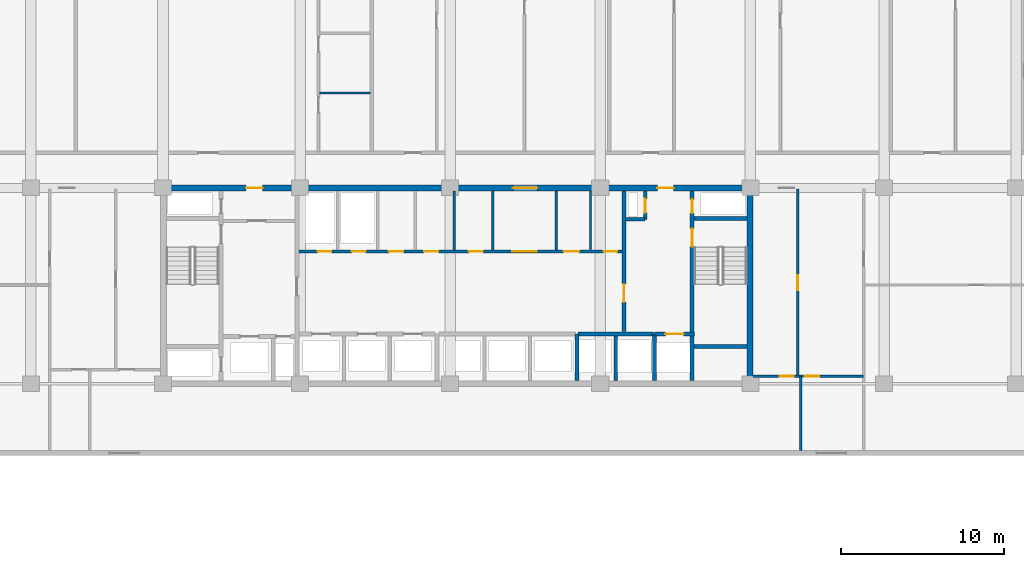
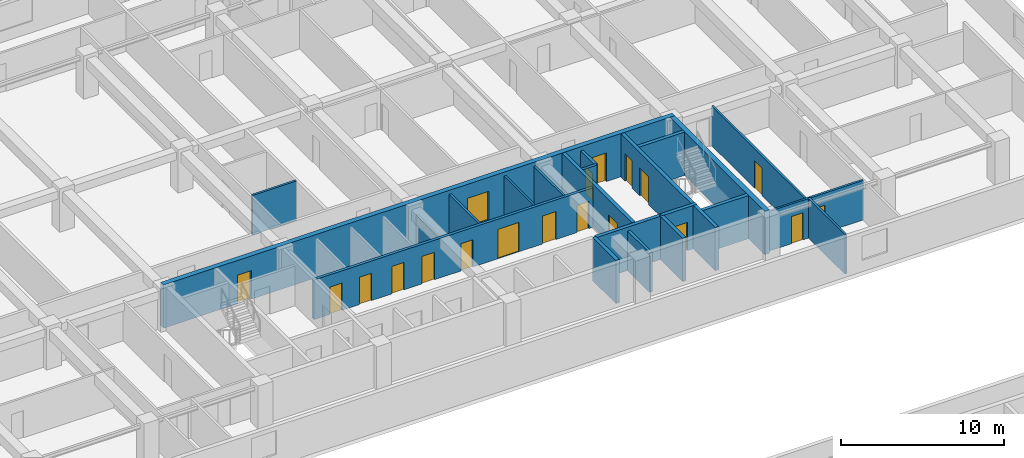
# One storey, part 11 of 23: 22 walls, 19 doors, 19 openings.
"""IFC4 building model written with IfcOpenShell, lengths in metres."""

import ifcopenshell
import ifcopenshell.guid

model = None  # the IFC model being written
_history = None  # IfcOwnerHistory: only IFC2X3 demands one
_inside = {}  # id of a spatial element -> (the spatial element, [elements in it])
_under = {}  # id of a project, library or spatial element -> (it, [spatial elements below it])
_declared = {}  # id of a project -> (the project, [libraries it declares])
_typed = {}  # id of a type object -> (the type object, [elements of that type])
_made_of = {}  # id of a material, layer set ... -> (it, [elements and type objects made of it])


def new_model(schema):
    """Start an empty IFC model of exactly this schema.

    Asked for "IFC4X3", IfcOpenShell would pick the latest addendum, in which some entities
    have other attributes; the version numbers below select the first issue.
    IFC2X3 requires an IfcOwnerHistory on every rooted entity: one is made here for all.
    """
    global model, _history
    if schema == "IFC4X3":
        model = ifcopenshell.file(schema_version=(4, 3, 0, 0))
    else:
        model = ifcopenshell.file(schema=schema)
    _inside.clear()
    _under.clear()
    _declared.clear()
    _typed.clear()
    _made_of.clear()
    _history = None
    if model.schema == "IFC2X3":
        org = make("IfcOrganization", Name="unknown")
        user = make(
            "IfcPersonAndOrganization",
            ThePerson=make("IfcPerson", FamilyName="unknown"),
            TheOrganization=org,
        )
        app = make(
            "IfcApplication",
            ApplicationDeveloper=org,
            Version="unknown",
            ApplicationFullName="unknown",
            ApplicationIdentifier="unknown",
        )
        _history = make(
            "IfcOwnerHistory",
            OwningUser=user,
            OwningApplication=app,
            ChangeAction="ADDED",
            CreationDate=0,
        )
    return model


def make(cls, **values):
    """One entity of the class cls with the attributes given. An attribute that is None is left unset."""
    return model.create_entity(
        cls, **{name: value for name, value in values.items() if value is not None}
    )


def rooted(cls, **values):
    """An entity with a GlobalId (a new one), such as an element, a storey or a relation."""
    return make(cls, GlobalId=ifcopenshell.guid.new(), OwnerHistory=_history, **values)


def si_unit(unit_type, name, prefix=None):
    """IfcSIUnit, for example si_unit("LENGTHUNIT", "METRE", prefix="MILLI")."""
    return make("IfcSIUnit", UnitType=unit_type, Prefix=prefix, Name=name)


def assignment(units):
    """IfcUnitAssignment: the units of a project."""
    return None if units is None else make("IfcUnitAssignment", Units=units)


def point(xyz):
    """IfcCartesianPoint."""
    return None if xyz is None else make("IfcCartesianPoint", Coordinates=xyz)


def direction(xyz):
    """IfcDirection."""
    return None if xyz is None else make("IfcDirection", DirectionRatios=xyz)


def frame(location, z_axis=None, x_axis=None):
    """IfcAxis2Placement3D, a coordinate frame: its origin and axes. An axis left out is left unset."""
    return make(
        "IfcAxis2Placement3D",
        Location=point(location),
        Axis=direction(z_axis),
        RefDirection=direction(x_axis),
    )


def frame_2d(location, x_axis=None):
    """IfcAxis2Placement2D, a coordinate frame in the plane: its origin and x axis."""
    return make(
        "IfcAxis2Placement2D", Location=point(location), RefDirection=direction(x_axis)
    )


def origin():
    """The frame at (0, 0, 0) with its axes left unset."""
    return frame((0.0, 0.0, 0.0))


def place(relative_to, where):
    """IfcLocalPlacement: puts the frame where relative to a parent placement (None: the world)."""
    return make(
        "IfcLocalPlacement", PlacementRelTo=relative_to, RelativePlacement=where
    )


def context(
    kind, dimensions, precision=None, world=None, true_north=None, identifier=None
):
    """IfcGeometricRepresentationContext, for example the 3D "Model" context."""
    return make(
        "IfcGeometricRepresentationContext",
        ContextIdentifier=identifier,
        ContextType=kind,
        CoordinateSpaceDimension=dimensions,
        Precision=precision,
        WorldCoordinateSystem=world,
        TrueNorth=true_north,
    )


def subcontext(parent, identifier, kind, view, scale=None):
    """IfcGeometricRepresentationSubContext, for example "Body" below "Model"."""
    return make(
        "IfcGeometricRepresentationSubContext",
        ContextIdentifier=identifier,
        ContextType=kind,
        ParentContext=parent,
        TargetScale=scale,
        TargetView=view,
    )


def project(units=None, contexts=None):
    """IfcProject with its units and contexts."""
    return rooted(
        "IfcProject",
        Name="project",
        RepresentationContexts=contexts,
        UnitsInContext=assignment(units),
    )


def spatial(cls, under=None, at=None, **own):
    """A site, building, storey or space (cls), placed at a placement, below another one or the project."""
    s = rooted(cls, ObjectPlacement=at, **own)
    if under is not None:
        _under.setdefault(under.id(), (under, []))[1].append(s)
    return s


def profile(cls, at=None, kind="AREA", **sizes):
    """A parametric profile (cls). Its sizes go by their IFC names, for example OverallWidth=200.0."""
    return make(cls, ProfileType=kind, Position=at, **sizes)


def rectangle(**sizes):
    """IfcRectangleProfileDef."""
    return profile("IfcRectangleProfileDef", **sizes)


def extrude(swept, where, along, depth):
    """IfcExtrudedAreaSolid: the profile swept, set in the frame where, extruded along a direction by depth."""
    return make(
        "IfcExtrudedAreaSolid",
        SweptArea=swept,
        Position=where,
        ExtrudedDirection=direction(along),
        Depth=depth,
    )


def shape(context_of_items, identifier, shape_type, items):
    """IfcShapeRepresentation: the items that make up one representation, for example the "Body"."""
    return make(
        "IfcShapeRepresentation",
        ContextOfItems=context_of_items,
        RepresentationIdentifier=identifier,
        RepresentationType=shape_type,
        Items=items,
    )


def material(Name=None, Category=None):
    """IfcMaterial."""
    return make("IfcMaterial", Name=Name, Category=Category)


def layer(
    of_material, thickness, ventilated=None, Name=None, Category=None, Priority=None
):
    """IfcMaterialLayer: one layer of a wall or slab, of a material (None: an air gap)."""
    return make(
        "IfcMaterialLayer",
        Material=of_material,
        LayerThickness=thickness,
        IsVentilated=ventilated,
        Name=Name,
        Category=Category,
        Priority=Priority,
    )


def layer_set(layers, Name=None):
    """IfcMaterialLayerSet."""
    return make("IfcMaterialLayerSet", MaterialLayers=layers, LayerSetName=Name)


def made_of(thing, what):
    """Note that an element or type object is made of a material, layer set ...; save() writes the relation."""
    if what is not None:
        _made_of.setdefault(what.id(), (what, []))[1].append(thing)
    return thing


def type_object(cls, material=None, **own):
    """A type object (cls), such as IfcWallType, which elements share."""
    return made_of(rooted(cls, **own), material)


def element(
    cls,
    number,
    at=None,
    inside=None,
    cuts=None,
    type_object=None,
    material=None,
    context=None,
    identifier="Body",
    shape_type=None,
    held_by="IfcProductDefinitionShape",
    body=None,
    shapes=None,
    **own,
):
    """One element of the class cls, such as IfcWall. Its Tag is "e" and its number.

    at: its placement. inside: the storey or other place that contains it. cuts: it is an
    opening in that element (IfcRelVoidsElement). A single representation is given by context,
    identifier, shape_type and body (its items); several are given by shapes. held_by: the class
    of the entity that holds the representations. save() writes the other relations.
    """
    e = rooted(cls, Tag="e%d" % number, ObjectPlacement=at, **own)
    if body is not None:
        shapes = [shape(context, identifier, shape_type, body)]
    if shapes is not None:
        e.Representation = make(held_by, Representations=shapes)
    if inside is not None:
        _inside.setdefault(inside.id(), (inside, []))[1].append(e)
    if cuts is not None:
        rooted(
            "IfcRelVoidsElement", RelatingBuildingElement=cuts, RelatedOpeningElement=e
        )
    if type_object is not None:
        _typed.setdefault(type_object.id(), (type_object, []))[1].append(e)
    return made_of(e, material)


def fill(opening, filler):
    """IfcRelFillsElement: the door or window that sits in an opening."""
    return rooted(
        "IfcRelFillsElement",
        RelatingOpeningElement=opening,
        RelatedBuildingElement=filler,
    )


def aggregate(whole, parts):
    """IfcRelAggregates: a whole, such as a stair, and the parts it consists of."""
    return rooted("IfcRelAggregates", RelatingObject=whole, RelatedObjects=parts)


def save(model, path):
    """Write the relations noted so far, then the file.

    IfcRelAggregates (storeys below a building ...), IfcRelContainedInSpatialStructure (elements
    in a storey), IfcRelDefinesByType, IfcRelAssociatesMaterial and IfcRelDeclares: one each for
    every whole, place, type object, material and project.
    """
    for whole, parts in _under.values():
        aggregate(whole, parts)
    for where, things in _inside.values():
        rooted(
            "IfcRelContainedInSpatialStructure",
            RelatedElements=things,
            RelatingStructure=where,
        )
    for kind, things in _typed.values():
        rooted("IfcRelDefinesByType", RelatedObjects=things, RelatingType=kind)
    for what, things in _made_of.values():
        rooted("IfcRelAssociatesMaterial", RelatedObjects=things, RelatingMaterial=what)
    for by, libraries in _declared.values():
        rooted("IfcRelDeclares", RelatingContext=by, RelatedDefinitions=libraries)
    model.write(path)


model = new_model("IFC4")

# Units and contexts
model_context = context("Model", 3, precision=1e-05, world=origin(), true_north=direction((0.0, 1.0)))
body_context = subcontext(model_context, "Body", "Model", "MODEL_VIEW")
ifc_project = project(units=[si_unit("LENGTHUNIT", "METRE"), si_unit("AREAUNIT", "SQUARE_METRE"), si_unit("VOLUMEUNIT", "CUBIC_METRE"), si_unit("PLANEANGLEUNIT", "RADIAN"), si_unit("MASSUNIT", "GRAM", prefix="KILO")], contexts=[model_context])

# Site, building, storey
site_placement = place(None, origin())
site = spatial("IfcSite", under=ifc_project, at=site_placement, CompositionType="ELEMENT")
building_placement = place(site_placement, origin())
building = spatial("IfcBuilding", under=site, at=building_placement, Name="Korimba Cascade Residences", CompositionType="ELEMENT")
storey_placement = place(building_placement, frame((0.0, 0.0, 50.0)))
storey = spatial("IfcBuildingStorey", under=building, at=storey_placement, Name="L13", CompositionType="ELEMENT", Elevation=50.0)

# Wall
ifc_material_1 = material(Name="Concrete C65/80", Category="concrete")
ifc_layer_1 = layer(ifc_material_1, 0.35009765625)
ifc_layer_set_1 = layer_set([ifc_layer_1], Name="Concrete C65/80")
wall_type_1 = type_object("IfcWallType", Name="WAL-CORE-350", PredefinedType="SHEAR", material=ifc_layer_set_1)
wall_1_placement = place(storey_placement, frame((112.074951171875, 55.375, 0.0), z_axis=(0.0, 0.0, 1.0), x_axis=(0.0, 1.0, 0.0)))
element("IfcWall", 1, at=wall_1_placement, inside=storey, type_object=wall_type_1, Name="L13 Core Shear Wall CW-L13-T1-E", PredefinedType="SHEAR", context=body_context, shape_type="SweptSolid", body=[
    extrude(rectangle(XDim=11.64990234375, YDim=0.35009765625, at=frame_2d((5.824951171875, 0.0))), origin(), (0.0, 0.0, 1.0), 3.25),
])

# Wall, openings, doors
wall_2_placement = place(storey_placement, frame((75.949951171875, 67.199951171875, 0.0), z_axis=(0.0, 0.0, 1.0), x_axis=(1.0, 0.0, 0.0)))
wall_2 = element("IfcWall", 2, at=wall_2_placement, inside=storey, type_object=wall_type_1, Name="L13 Core Shear Wall CW-L13-T1-N", PredefinedType="SHEAR", context=body_context, shape_type="SweptSolid", body=[
    extrude(rectangle(XDim=36.300048828125, YDim=0.35009765625, at=frame_2d((18.14990234375, 0.0))), origin(), (0.0, 0.0, 1.0), 3.25),
])
opening_1_placement = place(wall_2_placement, frame((5.25, 0.0, 0.0)))
opening_1 = element("IfcOpeningElement", 3, at=opening_1_placement, cuts=wall_2, Name="Opening D-FD5", PredefinedType="OPENING", context=body_context, shape_type="SweptSolid", body=[
    extrude(rectangle(XDim=1.0, YDim=2.14990234375, at=frame_2d((0.5, 1.074951171875))), frame((0.0, 0.18505859375, 0.0), z_axis=(0.0, -1.0, 0.0), x_axis=(1.0, 0.0, 0.0)), (0.0, 0.0, 1.0), 0.3701171875),
])
opening_2_placement = place(wall_2_placement, frame((21.60009765625, 0.0, 0.0)))
opening_2 = element("IfcOpeningElement", 4, at=opening_2_placement, cuts=wall_2, Name="Opening D-FD8", PredefinedType="OPENING", context=body_context, shape_type="SweptSolid", body=[
    extrude(rectangle(XDim=1.5, YDim=2.199951171875, at=frame_2d((0.75, 1.10009765625))), frame((0.0, 0.18505859375, 0.0), z_axis=(0.0, -1.0, 0.0), x_axis=(1.0, 0.0, 0.0)), (0.0, 0.0, 1.0), 0.3701171875),
])
opening_3_placement = place(wall_2_placement, frame((30.449951171875, 0.0, 0.0)))
opening_3 = element("IfcOpeningElement", 5, at=opening_3_placement, cuts=wall_2, Name="Opening D-FD5", PredefinedType="OPENING", context=body_context, shape_type="SweptSolid", body=[
    extrude(rectangle(XDim=1.0, YDim=2.14990234375, at=frame_2d((0.5, 1.074951171875))), frame((0.0, 0.18505859375, 0.0), z_axis=(0.0, -1.0, 0.0), x_axis=(1.0, 0.0, 0.0)), (0.0, 0.0, 1.0), 0.3701171875),
])
ifc_material_2 = material(Name="Fire-Rated Acoustic Timber Vestibule Door", Category="wood")
door_type_1 = type_object("IfcDoorType", Name="DR-FD90-1000", OperationType="NOTDEFINED", PredefinedType="DOOR", material=ifc_material_2)
door_1_placement = place(opening_1_placement, origin())
door_1 = element("IfcDoor", 6, at=door_1_placement, inside=storey, type_object=door_type_1, Name="L13 T1 West Core Vestibule Fire Door", OperationType="SINGLE_SWING_LEFT", OverallHeight=2.14990234375, OverallWidth=1.0, PredefinedType="DOOR", context=body_context, shape_type="SweptSolid", body=[
    extrude(rectangle(XDim=1.0, YDim=2.14990234375, at=frame_2d((0.5, 1.074951171875))), frame((0.0, 0.02490234375, 0.0), z_axis=(0.0, -1.0, 0.0), x_axis=(1.0, 0.0, 0.0)), (0.0, 0.0, 1.0), 0.050048828125),
])
fill(opening_1, door_1)
door_2_placement = place(opening_3_placement, origin())
door_2 = element("IfcDoor", 7, at=door_2_placement, inside=storey, type_object=door_type_1, Name="L13 T1 East Firefighting Vestibule Fire Door", OperationType="SINGLE_SWING_RIGHT", OverallHeight=2.14990234375, OverallWidth=1.0, PredefinedType="DOOR", context=body_context, shape_type="SweptSolid", body=[
    extrude(rectangle(XDim=1.0, YDim=2.14990234375, at=frame_2d((0.5, 1.074951171875))), frame((0.0, 0.02490234375, 0.0), z_axis=(0.0, -1.0, 0.0), x_axis=(1.0, 0.0, 0.0)), (0.0, 0.0, 1.0), 0.050048828125),
])
fill(opening_3, door_2)
ifc_material_3 = material(Name="Fire-Rated Glazed Lift Lobby Double Door", Category="glass")
door_type_2 = type_object("IfcDoorType", Name="DR-FD90-1500", OperationType="NOTDEFINED", PredefinedType="DOOR", material=ifc_material_3)
door_3_placement = place(opening_2_placement, origin())
door_3 = element("IfcDoor", 8, at=door_3_placement, inside=storey, type_object=door_type_2, Name="L13 T1 Lift Lobby Fire Door", OperationType="DOUBLE_DOOR_SINGLE_SWING", OverallHeight=2.199951171875, OverallWidth=1.5, PredefinedType="DOOR", context=body_context, shape_type="SweptSolid", body=[
    extrude(rectangle(XDim=1.5, YDim=2.199951171875, at=frame_2d((0.75, 1.10009765625))), frame((0.0, 0.02490234375, 0.0), z_axis=(0.0, -1.0, 0.0), x_axis=(1.0, 0.0, 0.0)), (0.0, 0.0, 1.0), 0.050048828125),
])
fill(opening_2, door_3)

# Walls
ifc_material_4 = material(Name="Insulated Acoustic Stud Partition", Category="gypsum")
ifc_layer_2 = layer(ifc_material_4, 0.14990234375)
ifc_layer_set_2 = layer_set([ifc_layer_2], Name="Insulated Acoustic Stud Partition")
wall_type_2 = type_object("IfcWallType", Name="WAL-PART-150", PredefinedType="PARTITIONING", material=ifc_layer_set_2)
wall_3_placement = place(storey_placement, frame((93.949951171875, 63.39990234375, 0.0), z_axis=(0.0, 0.0, 1.0), x_axis=(0.0, 1.0, 0.0)))
element("IfcWall", 9, at=wall_3_placement, inside=storey, type_object=wall_type_2, Name="L13 Partition Wall CW-L13-T1-CA1W2", PredefinedType="PARTITIONING", context=body_context, shape_type="SweptSolid", body=[
    extrude(rectangle(XDim=3.60009765625, YDim=0.14990234375, at=frame_2d((1.800048828125, 0.0))), origin(), (0.0, 0.0, 1.0), 2.219970703125),
])
for number, where, z_axis, x_axis, name in (
    (10, (102.300048828125, 63.39990234375, 0.0), (0.0, 0.0, 1.0), (0.0, 1.0, 0.0), "L13 Partition Wall CW-L13-T1-CA1E1"),
    (11, (96.300048828125, 63.39990234375, 0.0), (0.0, 0.0, 1.0), (0.0, 1.0, 0.0), "L13 Partition Wall CW-L13-T1-THW"),
    (12, (100.199951171875, 63.39990234375, 0.0), (0.0, 0.0, 1.0), (0.0, 1.0, 0.0), "L13 Partition Wall CW-L13-T1-THE"),
):
    element("IfcWall", number, at=place(storey_placement, frame(where, z_axis=z_axis, x_axis=x_axis)), inside=storey, type_object=wall_type_2, Name=name, PredefinedType="PARTITIONING", context=body_context, shape_type="SweptSolid", body=[
        extrude(rectangle(XDim=3.60009765625, YDim=0.14990234375, at=frame_2d((1.800048828125, 0.0))), origin(), (0.0, 0.0, 1.0), 2.969970703125),
    ])

# Wall, opening, door
wall_4_placement = place(storey_placement, frame((115.0, 55.64990234375, 0.0), z_axis=(0.0, 0.0, 1.0), x_axis=(0.0, 1.0, 0.0)))
wall_4 = element("IfcWall", 13, at=wall_4_placement, inside=storey, type_object=wall_type_2, Name="L13 Partition Wall WAL-L13-T1-FE-VN", PredefinedType="PARTITIONING", context=body_context, shape_type="SweptSolid", body=[
    extrude(rectangle(XDim=11.5, YDim=0.14990234375, at=frame_2d((5.75, 0.0))), origin(), (0.0, 0.0, 1.0), 2.969970703125),
])
opening_4_placement = place(wall_4_placement, frame((5.2900390625, 0.0, 0.0)))
opening_4 = element("IfcOpeningElement", 14, at=opening_4_placement, cuts=wall_4, Name="Opening D-IN1", PredefinedType="OPENING", context=body_context, shape_type="SweptSolid", body=[
    extrude(rectangle(XDim=0.919921875, YDim=2.080078125, at=frame_2d((0.4599609375, 1.0400390625))), frame((0.0, 0.0849609375, 0.0), z_axis=(0.0, -1.0, 0.0), x_axis=(1.0, 0.0, 0.0)), (0.0, 0.0, 1.0), 0.169921875),
])
ifc_material_5 = material(Name="Acoustic Timber Living Door", Category="wood")
door_type_3 = type_object("IfcDoorType", Name="DR-INT-920", OperationType="NOTDEFINED", PredefinedType="DOOR", material=ifc_material_5)
door_4_placement = place(opening_4_placement, origin())
door_4 = element("IfcDoor", 15, at=door_4_placement, inside=storey, type_object=door_type_3, Name="L13-T1-FE Living Door", OperationType="SINGLE_SWING_RIGHT", OverallHeight=2.080078125, OverallWidth=0.919921875, PredefinedType="DOOR", context=body_context, shape_type="SweptSolid", body=[
    extrude(rectangle(XDim=0.919921875, YDim=2.080078125, at=frame_2d((0.4599609375, 1.0400390625))), frame((0.0, 0.02490234375, 0.0), z_axis=(0.0, -1.0, 0.0), x_axis=(1.0, 0.0, 0.0)), (0.0, 0.0, 1.0), 0.050048828125),
])
fill(opening_4, door_4)

# Wall
wall_5_placement = place(storey_placement, frame((115.199951171875, 51.10009765625, 0.0), z_axis=(0.0, 0.0, 1.0), x_axis=(0.0, 1.0, 0.0)))
element("IfcWall", 16, at=wall_5_placement, inside=storey, type_object=wall_type_2, Name="L13 Partition Wall WAL-L13-T1-FE-VS", PredefinedType="PARTITIONING", context=body_context, shape_type="SweptSolid", body=[
    extrude(rectangle(XDim=4.5498046875, YDim=0.14990234375, at=frame_2d((2.27490234375, 0.0))), origin(), (0.0, 0.0, 1.0), 2.969970703125),
])

# Wall, openings, doors
wall_6_placement = place(storey_placement, frame((112.27001953125, 55.64990234375, 0.0), z_axis=(0.0, 0.0, 1.0), x_axis=(1.0, 0.0, 0.0)))
wall_6 = element("IfcWall", 17, at=wall_6_placement, inside=storey, type_object=wall_type_2, Name="L13 Partition Wall WAL-L13-T1-FE-H", PredefinedType="PARTITIONING", context=body_context, shape_type="SweptSolid", body=[
    extrude(rectangle(XDim=6.760009765625, YDim=0.14990234375, at=frame_2d((3.3798828125, 0.0))), origin(), (0.0, 0.0, 1.0), 2.969970703125),
])
opening_5_placement = place(wall_6_placement, frame((1.6396484375, 0.0, 0.0)))
opening_5 = element("IfcOpeningElement", 18, at=opening_5_placement, cuts=wall_6, Name="Opening D-BT1", PredefinedType="OPENING", context=body_context, shape_type="SweptSolid", body=[
    extrude(rectangle(XDim=0.840087890625, YDim=2.0400390625, at=frame_2d((0.419921875, 1.02001953125))), frame((0.0, 0.0849609375, 0.0), z_axis=(0.0, -1.0, 0.0), x_axis=(1.0, 0.0, 0.0)), (0.0, 0.0, 1.0), 0.169921875),
])
opening_6_placement = place(wall_6_placement, frame((3.160400390625, 0.0, 0.0)))
opening_6 = element("IfcOpeningElement", 19, at=opening_6_placement, cuts=wall_6, Name="Opening D-IN2", PredefinedType="OPENING", context=body_context, shape_type="SweptSolid", body=[
    extrude(rectangle(XDim=0.8798828125, YDim=2.06005859375, at=frame_2d((0.43994140625, 1.030029296875))), frame((0.0, 0.0849609375, 0.0), z_axis=(0.0, -1.0, 0.0), x_axis=(1.0, 0.0, 0.0)), (0.0, 0.0, 1.0), 0.169921875),
])
ifc_material_6 = material(Name="Moisture-Resistant Bathroom Timber Door", Category="wood")
door_type_4 = type_object("IfcDoorType", Name="DR-INT-850", OperationType="NOTDEFINED", PredefinedType="DOOR", material=ifc_material_6)
door_5_placement = place(opening_5_placement, origin())
door_5 = element("IfcDoor", 20, at=door_5_placement, inside=storey, type_object=door_type_4, Name="L13-T1-FE Bathroom Door", OperationType="SINGLE_SWING_LEFT", OverallHeight=2.0400390625, OverallWidth=0.840087890625, PredefinedType="DOOR", context=body_context, shape_type="SweptSolid", body=[
    extrude(rectangle(XDim=0.840087890625, YDim=2.0400390625, at=frame_2d((0.419921875, 1.02001953125))), frame((0.0, 0.02490234375, 0.0), z_axis=(0.0, -1.0, 0.0), x_axis=(1.0, 0.0, 0.0)), (0.0, 0.0, 1.0), 0.050048828125),
])
fill(opening_5, door_5)
ifc_material_7 = material(Name="Acoustic Timber Bedroom Door", Category="wood")
door_type_5 = type_object("IfcDoorType", Name="DR-INT-880", OperationType="NOTDEFINED", PredefinedType="DOOR", material=ifc_material_7)
door_6_placement = place(opening_6_placement, origin())
door_6 = element("IfcDoor", 21, at=door_6_placement, inside=storey, type_object=door_type_5, Name="L13-T1-FE Bedroom Door", OperationType="SINGLE_SWING_RIGHT", OverallHeight=2.06005859375, OverallWidth=0.8798828125, PredefinedType="DOOR", context=body_context, shape_type="SweptSolid", body=[
    extrude(rectangle(XDim=0.8798828125, YDim=2.06005859375, at=frame_2d((0.43994140625, 1.030029296875))), frame((0.0, 0.02490234375, 0.0), z_axis=(0.0, -1.0, 0.0), x_axis=(1.0, 0.0, 0.0)), (0.0, 0.0, 1.0), 0.050048828125),
])
fill(opening_6, door_6)

# Walls
wall_7_placement = place(storey_placement, frame((85.684326171875, 73.02001953125, 0.0), z_axis=(0.0, 0.0, 1.0), x_axis=(1.0, 0.0, 0.0)))
element("IfcWall", 22, at=wall_7_placement, inside=storey, type_object=wall_type_2, Name="L13 Partition Wall WAL-L13-T1-U02-WCH", PredefinedType="PARTITIONING", context=body_context, shape_type="SweptSolid", body=[
    extrude(rectangle(XDim=3.1298828125, YDim=0.14990234375, at=frame_2d((1.56494140625, 0.0))), origin(), (0.0, 0.0, 1.0), 2.969970703125),
])
ifc_material_8 = material(Name="Concrete C40/50", Category="concrete")
ifc_layer_3 = layer(ifc_material_8, 0.199951171875)
ifc_layer_set_3 = layer_set([ifc_layer_3], Name="Concrete C40/50")
wall_type_3 = type_object("IfcWallType", Name="WAL-PART-200", PredefinedType="PARTITIONING", material=ifc_layer_set_3)
wall_8_placement = place(storey_placement, frame((103.85009765625, 55.39990234375, 0.0), z_axis=(0.0, 0.0, 1.0), x_axis=(0.0, 1.0, 0.0)))
element("IfcWall", 23, at=wall_8_placement, inside=storey, type_object=wall_type_3, Name="L13 Partition Wall CW-L13-T1-B3D1", PredefinedType="PARTITIONING", context=body_context, shape_type="SweptSolid", body=[
    extrude(rectangle(XDim=2.72021484375, YDim=0.199951171875, at=frame_2d((1.360107421875, 0.0))), origin(), (0.0, 0.0, 1.0), 2.969970703125),
])

# Wall, openings, doors
wall_9_placement = place(storey_placement, frame((84.419921875, 63.300048828125, 0.0), z_axis=(0.0, 0.0, 1.0), x_axis=(1.0, 0.0, 0.0)))
wall_9 = element("IfcWall", 24, at=wall_9_placement, inside=storey, type_object=wall_type_3, Name="L13 Partition Wall CW-L13-T1-SRVROW", PredefinedType="PARTITIONING", context=body_context, shape_type="SweptSolid", body=[
    extrude(rectangle(XDim=19.830078125, YDim=0.199951171875, at=frame_2d((9.9150390625, 0.0))), origin(), (0.0, 0.0, 1.0), 2.969970703125),
])
opening_7_placement = place(wall_9_placement, frame((1.14990234375, 0.0, 0.0)))
opening_7 = element("IfcOpeningElement", 25, at=opening_7_placement, cuts=wall_9, Name="Opening D-RS1", PredefinedType="OPENING", context=body_context, shape_type="SweptSolid", body=[
    extrude(rectangle(XDim=0.85009765625, YDim=2.050048828125, at=frame_2d((0.425048828125, 1.02490234375))), frame((0.0, 0.10986328125, 0.0), z_axis=(0.0, -1.0, 0.0), x_axis=(1.0, 0.0, 0.0)), (0.0, 0.0, 1.0), 0.219970703125),
])
opening_8_placement = place(wall_9_placement, frame((3.25, 0.0, 0.0)))
opening_8 = element("IfcOpeningElement", 26, at=opening_8_placement, cuts=wall_9, Name="Opening D-RS1", PredefinedType="OPENING", context=body_context, shape_type="SweptSolid", body=[
    extrude(rectangle(XDim=0.85009765625, YDim=2.050048828125, at=frame_2d((0.425048828125, 1.02490234375))), frame((0.0, 0.10986328125, 0.0), z_axis=(0.0, -1.0, 0.0), x_axis=(1.0, 0.0, 0.0)), (0.0, 0.0, 1.0), 0.219970703125),
])
opening_9_placement = place(wall_9_placement, frame((13.080078125, 0.0, 0.0)))
opening_9 = element("IfcOpeningElement", 27, at=opening_9_placement, cuts=wall_9, Name="Opening D-FD8", PredefinedType="OPENING", context=body_context, shape_type="SweptSolid", body=[
    extrude(rectangle(XDim=1.5, YDim=2.199951171875, at=frame_2d((0.75, 1.10009765625))), frame((0.0, 0.10986328125, 0.0), z_axis=(0.0, -1.0, 0.0), x_axis=(1.0, 0.0, 0.0)), (0.0, 0.0, 1.0), 0.219970703125),
])
opening_10_placement = place(wall_9_placement, frame((5.530029296875, 0.0, 0.0)))
opening_10 = element("IfcOpeningElement", 28, at=opening_10_placement, cuts=wall_9, Name="Opening D-IN2", PredefinedType="OPENING", context=body_context, shape_type="SweptSolid", body=[
    extrude(rectangle(XDim=0.8798828125, YDim=2.06005859375, at=frame_2d((0.43994140625, 1.030029296875))), frame((0.0, 0.10986328125, 0.0), z_axis=(0.0, -1.0, 0.0), x_axis=(1.0, 0.0, 0.0)), (0.0, 0.0, 1.0), 0.219970703125),
])
opening_11_placement = place(wall_9_placement, frame((7.679931640625, 0.0, 0.0)))
opening_11 = element("IfcOpeningElement", 29, at=opening_11_placement, cuts=wall_9, Name="Opening D-IN2", PredefinedType="OPENING", context=body_context, shape_type="SweptSolid", body=[
    extrude(rectangle(XDim=0.8798828125, YDim=2.06005859375, at=frame_2d((0.43994140625, 1.030029296875))), frame((0.0, 0.10986328125, 0.0), z_axis=(0.0, -1.0, 0.0), x_axis=(1.0, 0.0, 0.0)), (0.0, 0.0, 1.0), 0.219970703125),
])
opening_12_placement = place(wall_9_placement, frame((10.429931640625, 0.0, 0.0)))
opening_12 = element("IfcOpeningElement", 30, at=opening_12_placement, cuts=wall_9, Name="Opening D-RS1", PredefinedType="OPENING", context=body_context, shape_type="SweptSolid", body=[
    extrude(rectangle(XDim=0.85009765625, YDim=2.050048828125, at=frame_2d((0.425048828125, 1.02490234375))), frame((0.0, 0.10986328125, 0.0), z_axis=(0.0, -1.0, 0.0), x_axis=(1.0, 0.0, 0.0)), (0.0, 0.0, 1.0), 0.219970703125),
])
opening_13_placement = place(wall_9_placement, frame((16.22998046875, 0.0, 0.0)))
opening_13 = element("IfcOpeningElement", 31, at=opening_13_placement, cuts=wall_9, Name="Opening D-AC1", PredefinedType="OPENING", context=body_context, shape_type="SweptSolid", body=[
    extrude(rectangle(XDim=0.9599609375, YDim=2.10009765625, at=frame_2d((0.47998046875, 1.050048828125))), frame((0.0, 0.10986328125, 0.0), z_axis=(0.0, -1.0, 0.0), x_axis=(1.0, 0.0, 0.0)), (0.0, 0.0, 1.0), 0.219970703125),
])
opening_14_placement = place(wall_9_placement, frame((18.679931640625, 0.0, 0.0)))
opening_14 = element("IfcOpeningElement", 32, at=opening_14_placement, cuts=wall_9, Name="Opening D-BT1", PredefinedType="OPENING", context=body_context, shape_type="SweptSolid", body=[
    extrude(rectangle(XDim=0.840087890625, YDim=2.0400390625, at=frame_2d((0.419921875, 1.02001953125))), frame((0.0, 0.10986328125, 0.0), z_axis=(0.0, -1.0, 0.0), x_axis=(1.0, 0.0, 0.0)), (0.0, 0.0, 1.0), 0.219970703125),
])
ifc_material_9 = material(Name="Accessible Acoustic Timber WC Door", Category="wood")
door_type_6 = type_object("IfcDoorType", Name="DR-ACC-950", OperationType="NOTDEFINED", PredefinedType="DOOR", material=ifc_material_9)
door_7_placement = place(opening_13_placement, origin())
door_7 = element("IfcDoor", 33, at=door_7_placement, inside=storey, type_object=door_type_6, Name="L13 Accessible Staff WC Door", OperationType="SINGLE_SWING_RIGHT", OverallHeight=2.10009765625, OverallWidth=0.9599609375, PredefinedType="DOOR", context=body_context, shape_type="SweptSolid", body=[
    extrude(rectangle(XDim=0.9599609375, YDim=2.10009765625, at=frame_2d((0.47998046875, 1.050048828125))), frame((0.0, 0.02490234375, 0.0), z_axis=(0.0, -1.0, 0.0), x_axis=(1.0, 0.0, 0.0)), (0.0, 0.0, 1.0), 0.050048828125),
])
fill(opening_13, door_7)
ifc_material_10 = material(Name="Fire-Rated Steel Riser Access Door", Category="steel")
door_type_7 = type_object("IfcDoorType", Name="DR-FD60-850", OperationType="NOTDEFINED", PredefinedType="DOOR", material=ifc_material_10)
door_8_placement = place(opening_7_placement, origin())
door_8 = element("IfcDoor", 34, at=door_8_placement, inside=storey, type_object=door_type_7, Name="L13 Electrical Riser Door", OperationType="SINGLE_SWING_LEFT", OverallHeight=2.050048828125, OverallWidth=0.85009765625, PredefinedType="DOOR", context=body_context, shape_type="SweptSolid", body=[
    extrude(rectangle(XDim=0.85009765625, YDim=2.050048828125, at=frame_2d((0.425048828125, 1.02490234375))), frame((0.0, 0.02490234375, 0.0), z_axis=(0.0, -1.0, 0.0), x_axis=(1.0, 0.0, 0.0)), (0.0, 0.0, 1.0), 0.050048828125),
])
fill(opening_7, door_8)
door_9_placement = place(opening_8_placement, origin())
door_9 = element("IfcDoor", 35, at=door_9_placement, inside=storey, type_object=door_type_7, Name="L13 Plumbing Riser Door", OperationType="SINGLE_SWING_RIGHT", OverallHeight=2.050048828125, OverallWidth=0.85009765625, PredefinedType="DOOR", context=body_context, shape_type="SweptSolid", body=[
    extrude(rectangle(XDim=0.85009765625, YDim=2.050048828125, at=frame_2d((0.425048828125, 1.02490234375))), frame((0.0, 0.02490234375, 0.0), z_axis=(0.0, -1.0, 0.0), x_axis=(1.0, 0.0, 0.0)), (0.0, 0.0, 1.0), 0.050048828125),
])
fill(opening_8, door_9)
door_10_placement = place(opening_12_placement, origin())
door_10 = element("IfcDoor", 36, at=door_10_placement, inside=storey, type_object=door_type_7, Name="L13 IT Room Door", OperationType="SINGLE_SWING_LEFT", OverallHeight=2.050048828125, OverallWidth=0.85009765625, PredefinedType="DOOR", context=body_context, shape_type="SweptSolid", body=[
    extrude(rectangle(XDim=0.85009765625, YDim=2.050048828125, at=frame_2d((0.425048828125, 1.02490234375))), frame((0.0, 0.02490234375, 0.0), z_axis=(0.0, -1.0, 0.0), x_axis=(1.0, 0.0, 0.0)), (0.0, 0.0, 1.0), 0.050048828125),
])
fill(opening_12, door_10)
door_11_placement = place(opening_9_placement, origin())
door_11 = element("IfcDoor", 37, at=door_11_placement, inside=storey, type_object=door_type_2, Name="L13 Lift Lobby Foyer Archway Door", OperationType="DOUBLE_DOOR_SINGLE_SWING", OverallHeight=2.199951171875, OverallWidth=1.5, PredefinedType="DOOR", context=body_context, shape_type="SweptSolid", body=[
    extrude(rectangle(XDim=1.5, YDim=2.199951171875, at=frame_2d((0.75, 1.10009765625))), frame((0.0, 0.02490234375, 0.0), z_axis=(0.0, -1.0, 0.0), x_axis=(1.0, 0.0, 0.0)), (0.0, 0.0, 1.0), 0.050048828125),
])
fill(opening_9, door_11)
door_12_placement = place(opening_14_placement, origin())
door_12 = element("IfcDoor", 38, at=door_12_placement, inside=storey, type_object=door_type_4, Name="L13 Vending Room Door", OperationType="SINGLE_SWING_LEFT", OverallHeight=2.0400390625, OverallWidth=0.840087890625, PredefinedType="DOOR", context=body_context, shape_type="SweptSolid", body=[
    extrude(rectangle(XDim=0.840087890625, YDim=2.0400390625, at=frame_2d((0.419921875, 1.02001953125))), frame((0.0, 0.02490234375, 0.0), z_axis=(0.0, -1.0, 0.0), x_axis=(1.0, 0.0, 0.0)), (0.0, 0.0, 1.0), 0.050048828125),
])
fill(opening_14, door_12)
door_13_placement = place(opening_10_placement, origin())
door_13 = element("IfcDoor", 39, at=door_13_placement, inside=storey, type_object=door_type_5, Name="L13 Cleaners Door", OperationType="SINGLE_SWING_LEFT", OverallHeight=2.06005859375, OverallWidth=0.8798828125, PredefinedType="DOOR", context=body_context, shape_type="SweptSolid", body=[
    extrude(rectangle(XDim=0.8798828125, YDim=2.06005859375, at=frame_2d((0.43994140625, 1.030029296875))), frame((0.0, 0.02490234375, 0.0), z_axis=(0.0, -1.0, 0.0), x_axis=(1.0, 0.0, 0.0)), (0.0, 0.0, 1.0), 0.050048828125),
])
fill(opening_10, door_13)
door_14_placement = place(opening_11_placement, origin())
door_14 = element("IfcDoor", 40, at=door_14_placement, inside=storey, type_object=door_type_5, Name="L13 Pantry Door", OperationType="SINGLE_SWING_RIGHT", OverallHeight=2.06005859375, OverallWidth=0.8798828125, PredefinedType="DOOR", context=body_context, shape_type="SweptSolid", body=[
    extrude(rectangle(XDim=0.8798828125, YDim=2.06005859375, at=frame_2d((0.43994140625, 1.030029296875))), frame((0.0, 0.02490234375, 0.0), z_axis=(0.0, -1.0, 0.0), x_axis=(1.0, 0.0, 0.0)), (0.0, 0.0, 1.0), 0.050048828125),
])
fill(opening_11, door_14)

# Wall
wall_10_placement = place(storey_placement, frame((104.449951171875, 65.280029296875, 0.0), z_axis=(0.0, 0.0, 1.0), x_axis=(1.0, 0.0, 0.0)))
element("IfcWall", 41, at=wall_10_placement, inside=storey, type_object=wall_type_3, Name="L13 Partition Wall CW-L13-T1-HYDW2S", PredefinedType="PARTITIONING", context=body_context, shape_type="SweptSolid", body=[
    extrude(rectangle(XDim=1.199951171875, YDim=0.199951171875, at=frame_2d((0.60009765625, 0.0))), origin(), (0.0, 0.0, 1.0), 2.969970703125),
])

# Wall, opening, door
wall_11_placement = place(storey_placement, frame((105.64990234375, 65.280029296875, 0.0), z_axis=(0.0, 0.0, 1.0), x_axis=(0.0, 1.0, 0.0)))
wall_11 = element("IfcWall", 42, at=wall_11_placement, inside=storey, type_object=wall_type_3, Name="L13 Partition Wall CW-L13-T1-HYDW2E", PredefinedType="PARTITIONING", context=body_context, shape_type="SweptSolid", body=[
    extrude(rectangle(XDim=1.719970703125, YDim=0.199951171875, at=frame_2d((0.85986328125, 0.0))), origin(), (0.0, 0.0, 1.0), 2.969970703125),
])
opening_15_placement = place(wall_11_placement, frame((0.39990234375, 0.0, 0.0)))
opening_15 = element("IfcOpeningElement", 43, at=opening_15_placement, cuts=wall_11, Name="Opening D-RS1", PredefinedType="OPENING", context=body_context, shape_type="SweptSolid", body=[
    extrude(rectangle(XDim=0.85009765625, YDim=2.050048828125, at=frame_2d((0.425048828125, 1.02490234375))), frame((0.0, 0.10986328125, 0.0), z_axis=(0.0, -1.0, 0.0), x_axis=(1.0, 0.0, 0.0)), (0.0, 0.0, 1.0), 0.219970703125),
])
door_15_placement = place(opening_15_placement, origin())
door_15 = element("IfcDoor", 44, at=door_15_placement, inside=storey, type_object=door_type_7, Name="L13 East Hydrant Door", OperationType="SINGLE_SWING_RIGHT", OverallHeight=2.050048828125, OverallWidth=0.85009765625, PredefinedType="DOOR", context=body_context, shape_type="SweptSolid", body=[
    extrude(rectangle(XDim=0.85009765625, YDim=2.050048828125, at=frame_2d((0.425048828125, 1.02490234375))), frame((0.0, 0.02490234375, 0.0), z_axis=(0.0, -1.0, 0.0), x_axis=(1.0, 0.0, 0.0)), (0.0, 0.0, 1.0), 0.050048828125),
])
fill(opening_15, door_15)

# Walls
ifc_material_11 = material(Name="Concrete C50/60", Category="concrete")
ifc_layer_4 = layer(ifc_material_11, 0.25)
ifc_layer_set_4 = layer_set([ifc_layer_4], Name="Concrete C50/60")
wall_type_4 = type_object("IfcWallType", Name="WAL-SHAFT-250", PredefinedType="SHEAR", material=ifc_layer_set_4)
wall_12_placement = place(storey_placement, frame((101.47998046875, 55.39990234375, 0.0), z_axis=(0.0, 0.0, 1.0), x_axis=(0.0, 1.0, 0.0)))
element("IfcWall", 45, at=wall_12_placement, inside=storey, type_object=wall_type_4, Name="L13 Core Shear Wall CW-L13-T1-B23DIV", PredefinedType="SHEAR", context=body_context, shape_type="SweptSolid", body=[
    extrude(rectangle(XDim=2.85009765625, YDim=0.25, at=frame_2d((1.425048828125, 0.0))), origin(), (0.0, 0.0, 1.0), 3.25),
])
wall_13_placement = place(storey_placement, frame((101.550048828125, 58.25, 0.0), z_axis=(0.0, 0.0, 1.0), x_axis=(1.0, 0.0, 0.0)))
element("IfcWall", 46, at=wall_13_placement, inside=storey, type_object=wall_type_4, Name="L13 Core Shear Wall CW-L13-T1-B3N", PredefinedType="SHEAR", context=body_context, shape_type="SweptSolid", body=[
    extrude(rectangle(XDim=4.599853515625, YDim=0.25, at=frame_2d((2.2998046875, 0.0))), origin(), (0.0, 0.0, 1.0), 3.25),
])
wall_14_placement = place(storey_placement, frame((106.219970703125, 55.39990234375, 0.0), z_axis=(0.0, 0.0, 1.0), x_axis=(0.0, 1.0, 0.0)))
element("IfcWall", 47, at=wall_14_placement, inside=storey, type_object=wall_type_4, Name="L13 Core Shear Wall CW-L13-T1-FF2W", PredefinedType="SHEAR", context=body_context, shape_type="SweptSolid", body=[
    extrude(rectangle(XDim=2.85009765625, YDim=0.25, at=frame_2d((1.425048828125, 0.0))), origin(), (0.0, 0.0, 1.0), 3.25),
])

# Wall, opening, door
wall_15_placement = place(storey_placement, frame((106.219970703125, 58.25, 0.0), z_axis=(0.0, 0.0, 1.0), x_axis=(1.0, 0.0, 0.0)))
wall_15 = element("IfcWall", 48, at=wall_15_placement, inside=storey, type_object=wall_type_4, Name="L13 Core Shear Wall CW-L13-T1-FF2N", PredefinedType="SHEAR", context=body_context, shape_type="SweptSolid", body=[
    extrude(rectangle(XDim=2.4599609375, YDim=0.25, at=frame_2d((1.22998046875, 0.0))), origin(), (0.0, 0.0, 1.0), 3.25),
])
opening_16_placement = place(wall_15_placement, frame((0.669921875, 0.0, 0.0)))
opening_16 = element("IfcOpeningElement", 49, at=opening_16_placement, cuts=wall_15, Name="Opening LD-01", PredefinedType="OPENING", context=body_context, shape_type="SweptSolid", body=[
    extrude(rectangle(XDim=1.1201171875, YDim=2.1201171875, at=frame_2d((0.56005859375, 1.06005859375))), frame((0.0, 0.135009765625, 0.0), z_axis=(0.0, -1.0, 0.0), x_axis=(1.0, 0.0, 0.0)), (0.0, 0.0, 1.0), 0.27001953125),
])
ifc_material_12 = material(Name="Stainless Steel Lift Landing Sliding Door", Category="steel")
door_type_8 = type_object("IfcDoorType", Name="DR-LIFT-1100", OperationType="NOTDEFINED", PredefinedType="DOOR", material=ifc_material_12)
door_16_placement = place(opening_16_placement, origin())
door_16 = element("IfcDoor", 50, at=door_16_placement, inside=storey, type_object=door_type_8, Name="L13 Firefighting Lift Landing Door FFL-W2", OperationType="SLIDING_TO_RIGHT", OverallHeight=2.1201171875, OverallWidth=1.1201171875, PredefinedType="DOOR", context=body_context, shape_type="SweptSolid", body=[
    extrude(rectangle(XDim=1.1201171875, YDim=2.1201171875, at=frame_2d((0.56005859375, 1.06005859375))), frame((0.0, 0.02490234375, 0.0), z_axis=(0.0, -1.0, 0.0), x_axis=(1.0, 0.0, 0.0)), (0.0, 0.0, 1.0), 0.050048828125),
])
fill(opening_16, door_16)

wall_16_placement = place(storey_placement, frame((104.35009765625, 58.39990234375, 0.0), z_axis=(0.0, 0.0, 1.0), x_axis=(0.0, 1.0, 0.0)))
wall_16 = element("IfcWall", 51, at=wall_16_placement, inside=storey, type_object=wall_type_4, Name="L13 Core Shear Wall CW-L13-T1-LLEV", PredefinedType="SHEAR", context=body_context, shape_type="SweptSolid", body=[
    extrude(rectangle(XDim=8.60009765625, YDim=0.25, at=frame_2d((4.300048828125, 0.0))), origin(), (0.0, 0.0, 1.0), 3.25),
])
opening_17_placement = place(wall_16_placement, frame((1.800048828125, 0.0, 0.0)))
opening_17 = element("IfcOpeningElement", 52, at=opening_17_placement, cuts=wall_16, Name="Opening D-FD1", PredefinedType="OPENING", context=body_context, shape_type="SweptSolid", body=[
    extrude(rectangle(XDim=1.10009765625, YDim=2.10009765625, at=frame_2d((0.550048828125, 1.050048828125))), frame((0.0, 0.135009765625, 0.0), z_axis=(0.0, -1.0, 0.0), x_axis=(1.0, 0.0, 0.0)), (0.0, 0.0, 1.0), 0.27001953125),
])
ifc_material_13 = material(Name="Fire-Rated Steel Core Door", Category="steel")
door_type_9 = type_object("IfcDoorType", Name="DR-FD120-1100", OperationType="NOTDEFINED", PredefinedType="DOOR", material=ifc_material_13)
door_17_placement = place(opening_17_placement, origin())
door_17 = element("IfcDoor", 53, at=door_17_placement, inside=storey, type_object=door_type_9, Name="L13 Lift Lobby to East Firefighting Lobby Door", OperationType="SINGLE_SWING_LEFT", OverallHeight=2.10009765625, OverallWidth=1.10009765625, PredefinedType="DOOR", context=body_context, shape_type="SweptSolid", body=[
    extrude(rectangle(XDim=1.10009765625, YDim=2.10009765625, at=frame_2d((0.550048828125, 1.050048828125))), frame((0.0, 0.02490234375, 0.0), z_axis=(0.0, -1.0, 0.0), x_axis=(1.0, 0.0, 0.0)), (0.0, 0.0, 1.0), 0.050048828125),
])
fill(opening_17, door_17)

# Wall, openings, doors
wall_17_placement = place(storey_placement, frame((108.534912109375, 55.39990234375, 0.0), z_axis=(0.0, 0.0, 1.0), x_axis=(0.0, 1.0, 0.0)))
wall_17 = element("IfcWall", 54, at=wall_17_placement, inside=storey, type_object=wall_type_4, Name="L13 Core Shear Wall CW-L13-T1-STW2W", PredefinedType="SHEAR", context=body_context, shape_type="SweptSolid", body=[
    extrude(rectangle(XDim=11.60009765625, YDim=0.25, at=frame_2d((5.800048828125, 0.0))), origin(), (0.0, 0.0, 1.0), 3.25),
])
opening_18_placement = place(wall_17_placement, frame((8.199951171875, 0.0, 0.0)))
opening_18 = element("IfcOpeningElement", 55, at=opening_18_placement, cuts=wall_17, Name="Opening D-FD1", PredefinedType="OPENING", context=body_context, shape_type="SweptSolid", body=[
    extrude(rectangle(XDim=1.10009765625, YDim=2.10009765625, at=frame_2d((0.550048828125, 1.050048828125))), frame((0.0, 0.135009765625, 0.0), z_axis=(0.0, -1.0, 0.0), x_axis=(1.0, 0.0, 0.0)), (0.0, 0.0, 1.0), 0.27001953125),
])
opening_19_placement = place(wall_17_placement, frame((10.25, 0.0, 0.0)))
opening_19 = element("IfcOpeningElement", 56, at=opening_19_placement, cuts=wall_17, Name="Opening D-RS1", PredefinedType="OPENING", context=body_context, shape_type="SweptSolid", body=[
    extrude(rectangle(XDim=0.85009765625, YDim=2.050048828125, at=frame_2d((0.425048828125, 1.02490234375))), frame((0.0, 0.135009765625, 0.0), z_axis=(0.0, -1.0, 0.0), x_axis=(1.0, 0.0, 0.0)), (0.0, 0.0, 1.0), 0.27001953125),
])
door_18_placement = place(opening_18_placement, origin())
door_18 = element("IfcDoor", 57, at=door_18_placement, inside=storey, type_object=door_type_9, Name="L13 Fire Stair ST-W2 Door", OperationType="SINGLE_SWING_RIGHT", OverallHeight=2.10009765625, OverallWidth=1.10009765625, PredefinedType="DOOR", context=body_context, shape_type="SweptSolid", body=[
    extrude(rectangle(XDim=1.10009765625, YDim=2.10009765625, at=frame_2d((0.550048828125, 1.050048828125))), frame((0.0, 0.02490234375, 0.0), z_axis=(0.0, -1.0, 0.0), x_axis=(1.0, 0.0, 0.0)), (0.0, 0.0, 1.0), 0.050048828125),
])
fill(opening_18, door_18)
door_19_placement = place(opening_19_placement, origin())
door_19 = element("IfcDoor", 58, at=door_19_placement, inside=storey, type_object=door_type_7, Name="L13 East Riser Door", OperationType="SINGLE_SWING_LEFT", OverallHeight=2.050048828125, OverallWidth=0.85009765625, PredefinedType="DOOR", context=body_context, shape_type="SweptSolid", body=[
    extrude(rectangle(XDim=0.85009765625, YDim=2.050048828125, at=frame_2d((0.425048828125, 1.02490234375))), frame((0.0, 0.02490234375, 0.0), z_axis=(0.0, -1.0, 0.0), x_axis=(1.0, 0.0, 0.0)), (0.0, 0.0, 1.0), 0.050048828125),
])
fill(opening_19, door_19)

# Walls
for number, where, z_axis, x_axis, name in (
    (59, (108.659912109375, 57.47509765625, 0.0), (0.0, 0.0, 1.0), (1.0, 0.0, 0.0), "L13 Core Shear Wall CW-L13-T1-STW2S"),
    (60, (108.659912109375, 65.324951171875, 0.0), (0.0, 0.0, 1.0), (1.0, 0.0, 0.0), "L13 Core Shear Wall CW-L13-T1-STW2N"),
):
    element("IfcWall", number, at=place(storey_placement, frame(where, z_axis=z_axis, x_axis=x_axis)), inside=storey, type_object=wall_type_4, Name=name, PredefinedType="SHEAR", context=body_context, shape_type="SweptSolid", body=[
        extrude(rectangle(XDim=3.239990234375, YDim=0.25, at=frame_2d((1.6201171875, 0.0))), origin(), (0.0, 0.0, 1.0), 3.25),
    ])

save(model, "model.ifc")
